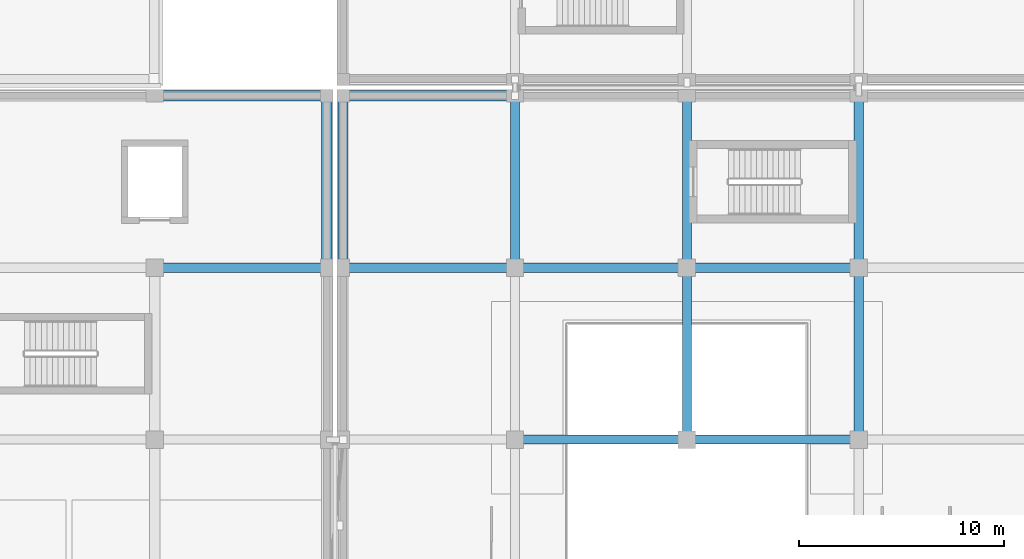
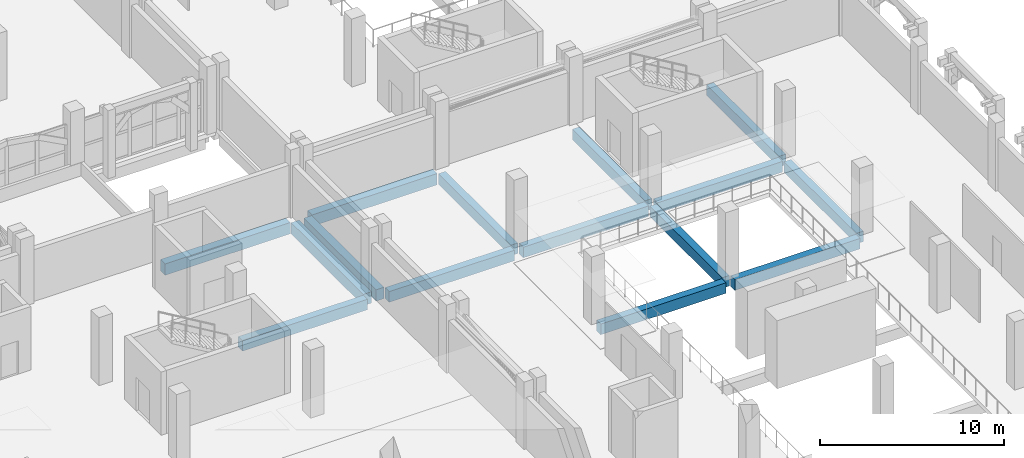
# One storey, part 40 of 137: 15 beams.
"""IFC4 building model written with IfcOpenShell, lengths in metres."""

from ifc_helpers import new_model, si_unit, direction, frame, origin, origin_2d, place, context, subcontext, project, spatial, rectangle, extrude, material, material_profile, profile_set, type_object, element, save


model = new_model("IFC4")

# Units and contexts
model_context = context("Model", 3, precision=1e-05, world=origin(), true_north=direction((0.0, 1.0)))
body_context = subcontext(model_context, "Body", "Model", "MODEL_VIEW")
ifc_project = project(units=[si_unit("LENGTHUNIT", "METRE"), si_unit("AREAUNIT", "SQUARE_METRE"), si_unit("VOLUMEUNIT", "CUBIC_METRE"), si_unit("PLANEANGLEUNIT", "RADIAN"), si_unit("MASSUNIT", "GRAM", prefix="KILO")], contexts=[model_context])

# Site, building, storey
site_placement = place(None, origin())
site = spatial("IfcSite", under=ifc_project, at=site_placement, CompositionType="ELEMENT")
building_placement = place(site_placement, origin())
building = spatial("IfcBuilding", under=site, at=building_placement, Name="Xazarin Passage Department Store", CompositionType="ELEMENT")
storey_placement = place(building_placement, frame((0.0, 0.0, 5.39990234375)))
storey = spatial("IfcBuildingStorey", under=building, at=storey_placement, Name="L01", CompositionType="ELEMENT", Elevation=5.39990234375)

# Beams
ifc_material = material(Name="Concrete C35/45", Category="concrete")
ifc_material_profile_1 = material_profile(ifc_material, rectangle(XDim=0.449951171875, YDim=0.699951171875, at=origin_2d()), Name="RC 450x700")
ifc_profile_set_1 = profile_set([ifc_material_profile_1], Name="Concrete C35/45")
beam_type_1 = type_object("IfcBeamType", Name="STR-BM-G450x700", PredefinedType="BEAM", material=ifc_profile_set_1)
beam_1_placement = place(storey_placement, frame((76.679931640625, 33.60009765625, -0.64990234375), z_axis=(1.0, 0.0, 0.0), x_axis=(0.0, 1.0, 0.0)))
element("IfcBeam", 1, at=beam_1_placement, inside=storey, type_object=beam_type_1, Name="L01 Grid Beam E/11-12", PredefinedType="BEAM", context=body_context, shape_type="SweptSolid", body=[
    extrude(rectangle(XDim=0.449951171875, YDim=0.699951171875, at=origin_2d()), origin(), (0.0, 0.0, 1.0), 7.840087890625),
])
beam_2_placement = place(storey_placement, frame((85.080078125, 33.60009765625, -0.64990234375), z_axis=(1.0, 0.0, 0.0), x_axis=(0.0, 1.0, 0.0)))
element("IfcBeam", 2, at=beam_2_placement, inside=storey, type_object=beam_type_1, Name="L01 Grid Beam E/12-13", PredefinedType="BEAM", context=body_context, shape_type="SweptSolid", body=[
    extrude(rectangle(XDim=0.449951171875, YDim=0.699951171875, at=origin_2d()), origin(), (0.0, 0.0, 1.0), 7.83984375),
])
for number, where, z_axis, x_axis, name in (
    (3, (68.280029296875, 42.0, -0.64990234375), (1.0, 0.0, 0.0), (0.0, 1.0, 0.0), "L01 Grid Beam F/10-11"),
    (4, (76.679931640625, 42.0, -0.64990234375), (1.0, 0.0, 0.0), (0.0, 1.0, 0.0), "L01 Grid Beam F/11-12"),
):
    element("IfcBeam", number, at=place(storey_placement, frame(where, z_axis=z_axis, x_axis=x_axis)), inside=storey, type_object=beam_type_1, Name=name, PredefinedType="BEAM", context=body_context, shape_type="SweptSolid", body=[
        extrude(rectangle(XDim=0.449951171875, YDim=0.699951171875, at=origin_2d()), origin(), (0.0, 0.0, 1.0), 7.840087890625),
    ])
beam_3_placement = place(storey_placement, frame((85.080078125, 42.0, -0.64990234375), z_axis=(1.0, 0.0, 0.0), x_axis=(0.0, 1.0, 0.0)))
element("IfcBeam", 5, at=beam_3_placement, inside=storey, type_object=beam_type_1, Name="L01 Grid Beam F/12-13", PredefinedType="BEAM", context=body_context, shape_type="SweptSolid", body=[
    extrude(rectangle(XDim=0.449951171875, YDim=0.699951171875, at=origin_2d()), origin(), (0.0, 0.0, 1.0), 7.83984375),
])
for number, where, z_axis, x_axis, name in (
    (6, (76.39990234375, 42.280029296875, -0.64990234375), (0.0, 1.0, 0.0), (-1.0, 0.0, 0.0), "L01 Grid Beam 11/F-G"),
    (7, (84.800048828125, 33.8798828125, -0.64990234375), (0.0, 1.0, 0.0), (-1.0, 0.0, 0.0), "L01 Grid Beam 12/E-F"),
    (8, (84.800048828125, 42.280029296875, -0.64990234375), (0.0, 1.0, 0.0), (-1.0, 0.0, 0.0), "L01 Grid Beam 12/F-G"),
    (9, (93.199951171875, 33.8798828125, -0.64990234375), (0.0, 1.0, 0.0), (-1.0, 0.0, 0.0), "L01 Grid Beam 13/E-F"),
    (10, (93.199951171875, 42.280029296875, -0.64990234375), (0.0, 1.0, 0.0), (-1.0, 0.0, 0.0), "L01 Grid Beam 13/F-G"),
):
    element("IfcBeam", number, at=place(storey_placement, frame(where, z_axis=z_axis, x_axis=x_axis)), inside=storey, type_object=beam_type_1, Name=name, PredefinedType="BEAM", context=body_context, shape_type="SweptSolid", body=[
        extrude(rectangle(XDim=0.449951171875, YDim=0.699951171875, at=origin_2d()), origin(), (0.0, 0.0, 1.0), 7.840087890625),
    ])
beam_4_placement = place(storey_placement, frame((59.080078125, 42.0, -0.669921875), z_axis=(1.0, 0.0, 0.0), x_axis=(0.0, 1.0, 0.0)))
element("IfcBeam", 11, at=beam_4_placement, inside=storey, type_object=beam_type_1, Name="L01 Grid Beam F/8-9", PredefinedType="BEAM", context=body_context, shape_type="SweptSolid", body=[
    extrude(rectangle(XDim=0.449951171875, YDim=0.699951171875, at=origin_2d()), origin(), (0.0, 0.0, 1.0), 7.83984375),
])
ifc_material_profile_2 = material_profile(ifc_material, rectangle(XDim=0.5, YDim=0.75, at=origin_2d()), Name="RC 500x750")
ifc_profile_set_2 = profile_set([ifc_material_profile_2], Name="Concrete C35/45")
beam_type_2 = type_object("IfcBeamType", Name="STR-BM-SP500x750", PredefinedType="SPANDREL", material=ifc_profile_set_2)
for number, where, z_axis, x_axis, name in (
    (12, (68.280029296875, 50.39990234375, -0.6748046875), (1.0, 0.0, 0.0), (0.0, 1.0, 0.0), "L01 Grid Beam G/10-11"),
    (13, (68.0, 42.280029296875, -0.6748046875), (0.0, 1.0, 0.0), (-1.0, 0.0, 0.0), "L01 Grid Beam 10/F-G"),
):
    element("IfcBeam", number, at=place(storey_placement, frame(where, z_axis=z_axis, x_axis=x_axis)), inside=storey, type_object=beam_type_2, Name=name, PredefinedType="SPANDREL", context=body_context, shape_type="SweptSolid", body=[
        extrude(rectangle(XDim=0.5, YDim=0.75, at=origin_2d()), origin(), (0.0, 0.0, 1.0), 7.840087890625),
    ])
beam_5_placement = place(storey_placement, frame((59.080078125, 50.39990234375, -0.69482421875), z_axis=(1.0, 0.0, 0.0), x_axis=(0.0, 1.0, 0.0)))
element("IfcBeam", 14, at=beam_5_placement, inside=storey, type_object=beam_type_2, Name="L01 Grid Beam G/8-9", PredefinedType="SPANDREL", context=body_context, shape_type="SweptSolid", body=[
    extrude(rectangle(XDim=0.5, YDim=0.75, at=origin_2d()), origin(), (0.0, 0.0, 1.0), 7.83984375),
])
beam_6_placement = place(storey_placement, frame((67.199951171875, 42.280029296875, -0.69482421875), z_axis=(0.0, 1.0, 0.0), x_axis=(-1.0, 0.0, 0.0)))
element("IfcBeam", 15, at=beam_6_placement, inside=storey, type_object=beam_type_2, Name="L01 Grid Beam 9/F-G", PredefinedType="SPANDREL", context=body_context, shape_type="SweptSolid", body=[
    extrude(rectangle(XDim=0.5, YDim=0.75, at=origin_2d()), origin(), (0.0, 0.0, 1.0), 7.840087890625),
])

save(model, "model.ifc")
